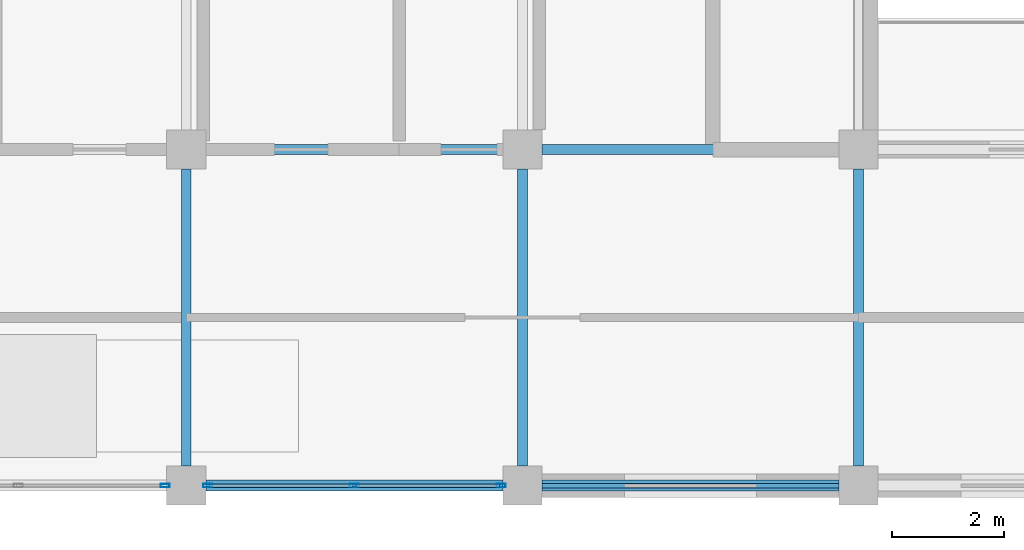
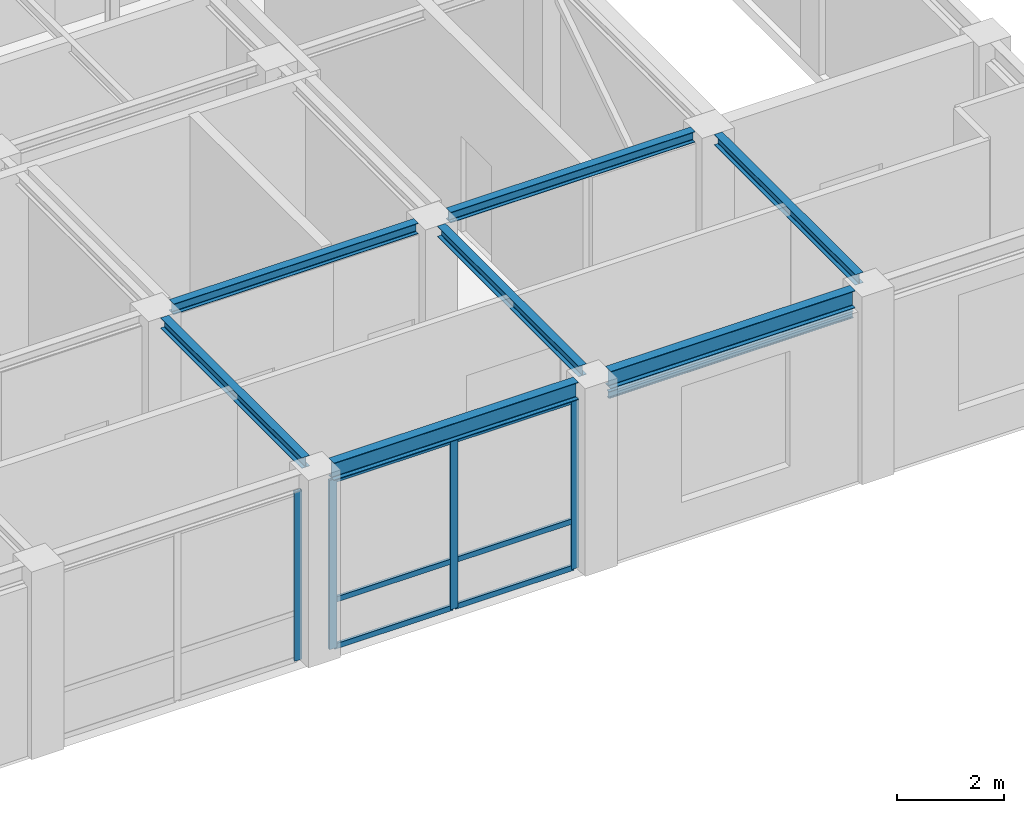
# One storey, part 6 of 11: 10 members, 8 beams, 2 elements without a shape of their own.
"""IFC4 building model written with IfcOpenShell, lengths in metres."""

import ifcopenshell
import ifcopenshell.guid

model = None  # the IFC model being written
_history = None  # IfcOwnerHistory: only IFC2X3 demands one
_inside = {}  # id of a spatial element -> (the spatial element, [elements in it])
_under = {}  # id of a project, library or spatial element -> (it, [spatial elements below it])
_declared = {}  # id of a project -> (the project, [libraries it declares])
_typed = {}  # id of a type object -> (the type object, [elements of that type])
_made_of = {}  # id of a material, layer set ... -> (it, [elements and type objects made of it])


def new_model(schema):
    """Start an empty IFC model of exactly this schema.

    Asked for "IFC4X3", IfcOpenShell would pick the latest addendum, in which some entities
    have other attributes; the version numbers below select the first issue.
    IFC2X3 requires an IfcOwnerHistory on every rooted entity: one is made here for all.
    """
    global model, _history
    if schema == "IFC4X3":
        model = ifcopenshell.file(schema_version=(4, 3, 0, 0))
    else:
        model = ifcopenshell.file(schema=schema)
    _inside.clear()
    _under.clear()
    _declared.clear()
    _typed.clear()
    _made_of.clear()
    _history = None
    if model.schema == "IFC2X3":
        org = make("IfcOrganization", Name="unknown")
        user = make(
            "IfcPersonAndOrganization",
            ThePerson=make("IfcPerson", FamilyName="unknown"),
            TheOrganization=org,
        )
        app = make(
            "IfcApplication",
            ApplicationDeveloper=org,
            Version="unknown",
            ApplicationFullName="unknown",
            ApplicationIdentifier="unknown",
        )
        _history = make(
            "IfcOwnerHistory",
            OwningUser=user,
            OwningApplication=app,
            ChangeAction="ADDED",
            CreationDate=0,
        )
    return model


def make(cls, **values):
    """One entity of the class cls with the attributes given. An attribute that is None is left unset."""
    return model.create_entity(
        cls, **{name: value for name, value in values.items() if value is not None}
    )


def rooted(cls, **values):
    """An entity with a GlobalId (a new one), such as an element, a storey or a relation."""
    return make(cls, GlobalId=ifcopenshell.guid.new(), OwnerHistory=_history, **values)


def si_unit(unit_type, name, prefix=None):
    """IfcSIUnit, for example si_unit("LENGTHUNIT", "METRE", prefix="MILLI")."""
    return make("IfcSIUnit", UnitType=unit_type, Prefix=prefix, Name=name)


def assignment(units):
    """IfcUnitAssignment: the units of a project."""
    return None if units is None else make("IfcUnitAssignment", Units=units)


def point(xyz):
    """IfcCartesianPoint."""
    return None if xyz is None else make("IfcCartesianPoint", Coordinates=xyz)


def direction(xyz):
    """IfcDirection."""
    return None if xyz is None else make("IfcDirection", DirectionRatios=xyz)


def frame(location, z_axis=None, x_axis=None):
    """IfcAxis2Placement3D, a coordinate frame: its origin and axes. An axis left out is left unset."""
    return make(
        "IfcAxis2Placement3D",
        Location=point(location),
        Axis=direction(z_axis),
        RefDirection=direction(x_axis),
    )


def frame_2d(location, x_axis=None):
    """IfcAxis2Placement2D, a coordinate frame in the plane: its origin and x axis."""
    return make(
        "IfcAxis2Placement2D", Location=point(location), RefDirection=direction(x_axis)
    )


def origin():
    """The frame at (0, 0, 0) with its axes left unset."""
    return frame((0.0, 0.0, 0.0))


def origin_2d():
    """The frame at (0, 0) in the plane with its x axis left unset."""
    return frame_2d((0.0, 0.0))


def place(relative_to, where):
    """IfcLocalPlacement: puts the frame where relative to a parent placement (None: the world)."""
    return make(
        "IfcLocalPlacement", PlacementRelTo=relative_to, RelativePlacement=where
    )


def context(
    kind, dimensions, precision=None, world=None, true_north=None, identifier=None
):
    """IfcGeometricRepresentationContext, for example the 3D "Model" context."""
    return make(
        "IfcGeometricRepresentationContext",
        ContextIdentifier=identifier,
        ContextType=kind,
        CoordinateSpaceDimension=dimensions,
        Precision=precision,
        WorldCoordinateSystem=world,
        TrueNorth=true_north,
    )


def subcontext(parent, identifier, kind, view, scale=None):
    """IfcGeometricRepresentationSubContext, for example "Body" below "Model"."""
    return make(
        "IfcGeometricRepresentationSubContext",
        ContextIdentifier=identifier,
        ContextType=kind,
        ParentContext=parent,
        TargetScale=scale,
        TargetView=view,
    )


def project(units=None, contexts=None):
    """IfcProject with its units and contexts."""
    return rooted(
        "IfcProject",
        Name="project",
        RepresentationContexts=contexts,
        UnitsInContext=assignment(units),
    )


def spatial(cls, under=None, at=None, **own):
    """A site, building, storey or space (cls), placed at a placement, below another one or the project."""
    s = rooted(cls, ObjectPlacement=at, **own)
    if under is not None:
        _under.setdefault(under.id(), (under, []))[1].append(s)
    return s


def profile(cls, at=None, kind="AREA", **sizes):
    """A parametric profile (cls). Its sizes go by their IFC names, for example OverallWidth=200.0."""
    return make(cls, ProfileType=kind, Position=at, **sizes)


def hollow_rectangle(**sizes):
    """IfcRectangleHollowProfileDef."""
    return profile("IfcRectangleHollowProfileDef", **sizes)


def i_section(**sizes):
    """IfcIShapeProfileDef."""
    return profile("IfcIShapeProfileDef", **sizes)


def extrude(swept, where, along, depth):
    """IfcExtrudedAreaSolid: the profile swept, set in the frame where, extruded along a direction by depth."""
    return make(
        "IfcExtrudedAreaSolid",
        SweptArea=swept,
        Position=where,
        ExtrudedDirection=direction(along),
        Depth=depth,
    )


def shape(context_of_items, identifier, shape_type, items):
    """IfcShapeRepresentation: the items that make up one representation, for example the "Body"."""
    return make(
        "IfcShapeRepresentation",
        ContextOfItems=context_of_items,
        RepresentationIdentifier=identifier,
        RepresentationType=shape_type,
        Items=items,
    )


def material(Name=None, Category=None):
    """IfcMaterial."""
    return make("IfcMaterial", Name=Name, Category=Category)


def layer(
    of_material, thickness, ventilated=None, Name=None, Category=None, Priority=None
):
    """IfcMaterialLayer: one layer of a wall or slab, of a material (None: an air gap)."""
    return make(
        "IfcMaterialLayer",
        Material=of_material,
        LayerThickness=thickness,
        IsVentilated=ventilated,
        Name=Name,
        Category=Category,
        Priority=Priority,
    )


def layer_set(layers, Name=None):
    """IfcMaterialLayerSet."""
    return make("IfcMaterialLayerSet", MaterialLayers=layers, LayerSetName=Name)


def material_profile(
    of_material, cross_section, Name=None, Category=None, Priority=None
):
    """IfcMaterialProfile: a cross section and its material."""
    return make(
        "IfcMaterialProfile",
        Name=Name,
        Material=of_material,
        Profile=cross_section,
        Priority=Priority,
        Category=Category,
    )


def profile_set(profiles, Name=None, composite=None):
    """IfcMaterialProfileSet."""
    return make(
        "IfcMaterialProfileSet",
        Name=Name,
        MaterialProfiles=profiles,
        CompositeProfile=composite,
    )


def made_of(thing, what):
    """Note that an element or type object is made of a material, layer set ...; save() writes the relation."""
    if what is not None:
        _made_of.setdefault(what.id(), (what, []))[1].append(thing)
    return thing


def type_object(cls, material=None, **own):
    """A type object (cls), such as IfcWallType, which elements share."""
    return made_of(rooted(cls, **own), material)


def element(
    cls,
    number,
    at=None,
    inside=None,
    cuts=None,
    type_object=None,
    material=None,
    context=None,
    identifier="Body",
    shape_type=None,
    held_by="IfcProductDefinitionShape",
    body=None,
    shapes=None,
    **own,
):
    """One element of the class cls, such as IfcWall. Its Tag is "e" and its number.

    at: its placement. inside: the storey or other place that contains it. cuts: it is an
    opening in that element (IfcRelVoidsElement). A single representation is given by context,
    identifier, shape_type and body (its items); several are given by shapes. held_by: the class
    of the entity that holds the representations. save() writes the other relations.
    """
    e = rooted(cls, Tag="e%d" % number, ObjectPlacement=at, **own)
    if body is not None:
        shapes = [shape(context, identifier, shape_type, body)]
    if shapes is not None:
        e.Representation = make(held_by, Representations=shapes)
    if inside is not None:
        _inside.setdefault(inside.id(), (inside, []))[1].append(e)
    if cuts is not None:
        rooted(
            "IfcRelVoidsElement", RelatingBuildingElement=cuts, RelatedOpeningElement=e
        )
    if type_object is not None:
        _typed.setdefault(type_object.id(), (type_object, []))[1].append(e)
    return made_of(e, material)


def aggregate(whole, parts):
    """IfcRelAggregates: a whole, such as a stair, and the parts it consists of."""
    return rooted("IfcRelAggregates", RelatingObject=whole, RelatedObjects=parts)


def save(model, path):
    """Write the relations noted so far, then the file.

    IfcRelAggregates (storeys below a building ...), IfcRelContainedInSpatialStructure (elements
    in a storey), IfcRelDefinesByType, IfcRelAssociatesMaterial and IfcRelDeclares: one each for
    every whole, place, type object, material and project.
    """
    for whole, parts in _under.values():
        aggregate(whole, parts)
    for where, things in _inside.values():
        rooted(
            "IfcRelContainedInSpatialStructure",
            RelatedElements=things,
            RelatingStructure=where,
        )
    for kind, things in _typed.values():
        rooted("IfcRelDefinesByType", RelatedObjects=things, RelatingType=kind)
    for what, things in _made_of.values():
        rooted("IfcRelAssociatesMaterial", RelatedObjects=things, RelatingMaterial=what)
    for by, libraries in _declared.values():
        rooted("IfcRelDeclares", RelatingContext=by, RelatedDefinitions=libraries)
    model.write(path)


model = new_model("IFC4")

# Units and contexts
model_context = context("Model", 3, precision=1e-05, world=origin(), true_north=direction((0.0, 1.0)))
body_context = subcontext(model_context, "Body", "Model", "MODEL_VIEW")
ifc_project = project(units=[si_unit("LENGTHUNIT", "METRE"), si_unit("AREAUNIT", "SQUARE_METRE"), si_unit("VOLUMEUNIT", "CUBIC_METRE"), si_unit("PLANEANGLEUNIT", "RADIAN"), si_unit("MASSUNIT", "GRAM", prefix="KILO")], contexts=[model_context])

# Site, building, storey
site_placement = place(None, origin())
site = spatial("IfcSite", under=ifc_project, at=site_placement, CompositionType="ELEMENT")
building_placement = place(site_placement, origin())
building = spatial("IfcBuilding", under=site, at=building_placement, Name="Zlatovratsky Civic Hall", CompositionType="ELEMENT")
storey_placement = place(building_placement, frame((0.0, 0.0, 72.0)))
storey = spatial("IfcBuildingStorey", under=building, at=storey_placement, Name="L18", CompositionType="ELEMENT", Elevation=72.0)

# Beams
ifc_material_1 = material(Name="Steel S355", Category="steel")
ifc_material_profile_1 = material_profile(ifc_material_1, i_section(OverallWidth=0.175048828125, OverallDepth=0.243896484375, WebThickness=0.007080078125, FlangeThickness=0.010986328125, FilletRadius=0.01611328125, at=origin_2d()), Name="25Sh1")
ifc_profile_set_1 = profile_set([ifc_material_profile_1], Name="Steel S355")
beam_type_1 = type_object("IfcBeamType", Name="Beam_Crown_25Sh1", PredefinedType="BEAM", material=ifc_profile_set_1)
for number, where, z_axis, x_axis, name in (
    (1, (84.35009765625, 84.0, 4.177978515625), (1.0, 0.0, 0.0), (0.0, 1.0, 0.0), "BM-5260"),
    (2, (90.35009765625, 84.0, 4.177978515625), (1.0, 0.0, 0.0), (0.0, 1.0, 0.0), "BM-5261"),
    (3, (84.0, 78.35009765625, 4.177978515625), (0.0, 1.0, 0.0), (-1.0, 0.0, 0.0), "BM-5291"),
    (4, (90.0, 78.35009765625, 4.177978515625), (0.0, 1.0, 0.0), (-1.0, 0.0, 0.0), "BM-5295"),
    (5, (96.0, 78.35009765625, 4.177978515625), (0.0, 1.0, 0.0), (-1.0, 0.0, 0.0), "BM-5299"),
):
    element("IfcBeam", number, at=place(storey_placement, frame(where, z_axis=z_axis, x_axis=x_axis)), inside=storey, type_object=beam_type_1, Name=name, PredefinedType="BEAM", context=body_context, shape_type="SweptSolid", body=[
        extrude(i_section(OverallWidth=0.175048828125, OverallDepth=0.243896484375, WebThickness=0.007080078125, FlangeThickness=0.010986328125, FilletRadius=0.01611328125, at=origin_2d()), origin(), (0.0, 0.0, 1.0), 5.2998046875),
    ])
ifc_material_profile_2 = material_profile(ifc_material_1, i_section(OverallWidth=0.199951171875, OverallDepth=0.39990234375, WebThickness=0.008056640625, FlangeThickness=0.012939453125, FilletRadius=0.014892578125, at=origin_2d()), Name="40B2")
ifc_profile_set_2 = profile_set([ifc_material_profile_2], Name="Steel S355")
beam_type_2 = type_object("IfcBeamType", Name="Beam_Spandrel_40B2", PredefinedType="SPANDREL", material=ifc_profile_set_2)
for number, where, z_axis, x_axis, name in (
    (6, (84.35009765625, 78.0, 4.10009765625), (1.0, 0.0, 0.0), (0.0, 1.0, 0.0), "BM-5254"),
    (7, (90.35009765625, 78.0, 4.10009765625), (1.0, 0.0, 0.0), (0.0, 1.0, 0.0), "BM-5255"),
):
    element("IfcBeam", number, at=place(storey_placement, frame(where, z_axis=z_axis, x_axis=x_axis)), inside=storey, type_object=beam_type_2, Name=name, PredefinedType="SPANDREL", context=body_context, shape_type="SweptSolid", body=[
        extrude(i_section(OverallWidth=0.199951171875, OverallDepth=0.39990234375, WebThickness=0.008056640625, FlangeThickness=0.012939453125, FilletRadius=0.014892578125, at=origin_2d()), origin(), (0.0, 0.0, 1.0), 5.2998046875),
    ])

# Curtain wall, member
ifc_material_2 = material(Name="Anodised bronze aluminium", Category="aluminium")
ifc_layer = layer(ifc_material_2, 0.159912109375)
ifc_layer_set = layer_set([ifc_layer], Name="Anodised bronze aluminium")
curtain_wall_type = type_object("IfcCurtainWallType", Name="CurtainWall_Bronze_5300x3880_26", PredefinedType="NOTDEFINED", material=ifc_layer_set)
curtain_wall_1_placement = place(storey_placement, origin())
curtain_wall_1 = element("IfcCurtainWall", 8, at=curtain_wall_1_placement, inside=storey, type_object=curtain_wall_type, Name="CW-181", PredefinedType="NOTDEFINED")
ifc_material_profile_3 = material_profile(ifc_material_2, hollow_rectangle(XDim=0.06005859375, YDim=0.159912109375, WallThickness=0.00390625, at=origin_2d()), Name="ALU 60x160x4")
ifc_profile_set_3 = profile_set([ifc_material_profile_3], Name="Anodised bronze aluminium")
member_type_1 = type_object("IfcMemberType", Name="CW_Mullion_60x160", PredefinedType="MULLION", material=ifc_profile_set_3)
member_1_placement = place(storey_placement, frame((83.6201171875, 78.0, 0.0), z_axis=(0.0, 0.0, 1.0), x_axis=(0.0, 1.0, 0.0)))
member_1 = element("IfcMember", 9, at=member_1_placement, type_object=member_type_1, Name="CW-26 mullion 3", PredefinedType="MULLION", context=body_context, shape_type="SweptSolid", body=[
    extrude(hollow_rectangle(XDim=0.06005859375, YDim=0.159912109375, WallThickness=0.00390625, at=origin_2d()), origin(), (0.0, 0.0, 1.0), 3.8798828125),
])
aggregate(curtain_wall_1, [member_1])

# Curtain wall, members
curtain_wall_2_placement = place(storey_placement, origin())
curtain_wall_2 = element("IfcCurtainWall", 10, at=curtain_wall_2_placement, inside=storey, type_object=curtain_wall_type, Name="CW-182", PredefinedType="NOTDEFINED")
member_2_placement = place(storey_placement, frame((84.3798828125, 78.0, 0.0), z_axis=(0.0, 0.0, 1.0), x_axis=(0.0, 1.0, 0.0)))
member_2 = element("IfcMember", 11, at=member_2_placement, type_object=member_type_1, Name="CW-26 mullion 1", PredefinedType="MULLION", context=body_context, shape_type="SweptSolid", body=[
    extrude(hollow_rectangle(XDim=0.06005859375, YDim=0.159912109375, WallThickness=0.00390625, at=origin_2d()), origin(), (0.0, 0.0, 1.0), 3.8798828125),
])
member_3_placement = place(storey_placement, frame((87.0, 78.0, 0.0), z_axis=(0.0, 0.0, 1.0), x_axis=(0.0, 1.0, 0.0)))
member_3 = element("IfcMember", 12, at=member_3_placement, type_object=member_type_1, Name="CW-26 mullion 2", PredefinedType="MULLION", context=body_context, shape_type="SweptSolid", body=[
    extrude(hollow_rectangle(XDim=0.06005859375, YDim=0.159912109375, WallThickness=0.00390625, at=origin_2d()), origin(), (0.0, 0.0, 1.0), 3.8798828125),
])
member_4_placement = place(storey_placement, frame((89.6201171875, 78.0, 0.0), z_axis=(0.0, 0.0, 1.0), x_axis=(0.0, 1.0, 0.0)))
member_4 = element("IfcMember", 13, at=member_4_placement, type_object=member_type_1, Name="CW-26 mullion 3", PredefinedType="MULLION", context=body_context, shape_type="SweptSolid", body=[
    extrude(hollow_rectangle(XDim=0.06005859375, YDim=0.159912109375, WallThickness=0.00390625, at=origin_2d()), origin(), (0.0, 0.0, 1.0), 3.8798828125),
])
ifc_material_profile_4 = material_profile(ifc_material_2, hollow_rectangle(XDim=0.06005859375, YDim=0.1201171875, WallThickness=0.00390625, at=origin_2d()), Name="ALU 60x120x4")
ifc_profile_set_4 = profile_set([ifc_material_profile_4], Name="Anodised bronze aluminium")
member_type_2 = type_object("IfcMemberType", Name="CW_Transom_60x120", PredefinedType="USERDEFINED", material=ifc_profile_set_4)
member_5_placement = place(storey_placement, frame((84.409912109375, 78.0, 0.030029296875), z_axis=(1.0, 0.0, 0.0), x_axis=(0.0, 1.0, 0.0)))
member_5 = element("IfcMember", 14, at=member_5_placement, type_object=member_type_2, Name="CW-26 transom 1.1", ObjectType="TRANSOM", PredefinedType="USERDEFINED", context=body_context, shape_type="SweptSolid", body=[
    extrude(hollow_rectangle(XDim=0.06005859375, YDim=0.1201171875, WallThickness=0.00390625, at=origin_2d()), origin(), (0.0, 0.0, 1.0), 2.56005859375),
])
member_6_placement = place(storey_placement, frame((84.409912109375, 78.0, 1.10009765625), z_axis=(1.0, 0.0, 0.0), x_axis=(0.0, 1.0, 0.0)))
member_6 = element("IfcMember", 15, at=member_6_placement, type_object=member_type_2, Name="CW-26 transom 1.2", ObjectType="TRANSOM", PredefinedType="USERDEFINED", context=body_context, shape_type="SweptSolid", body=[
    extrude(hollow_rectangle(XDim=0.06005859375, YDim=0.1201171875, WallThickness=0.00390625, at=origin_2d()), origin(), (0.0, 0.0, 1.0), 2.56005859375),
])
member_7_placement = place(storey_placement, frame((84.409912109375, 78.0, 3.85009765625), z_axis=(1.0, 0.0, 0.0), x_axis=(0.0, 1.0, 0.0)))
member_7 = element("IfcMember", 16, at=member_7_placement, type_object=member_type_2, Name="CW-26 transom 1.3", ObjectType="TRANSOM", PredefinedType="USERDEFINED", context=body_context, shape_type="SweptSolid", body=[
    extrude(hollow_rectangle(XDim=0.06005859375, YDim=0.1201171875, WallThickness=0.00390625, at=origin_2d()), origin(), (0.0, 0.0, 1.0), 2.56005859375),
])
member_8_placement = place(storey_placement, frame((87.030029296875, 78.0, 0.030029296875), z_axis=(1.0, 0.0, 0.0), x_axis=(0.0, 1.0, 0.0)))
member_8 = element("IfcMember", 17, at=member_8_placement, type_object=member_type_2, Name="CW-26 transom 2.1", ObjectType="TRANSOM", PredefinedType="USERDEFINED", context=body_context, shape_type="SweptSolid", body=[
    extrude(hollow_rectangle(XDim=0.06005859375, YDim=0.1201171875, WallThickness=0.00390625, at=origin_2d()), origin(), (0.0, 0.0, 1.0), 2.56005859375),
])
member_9_placement = place(storey_placement, frame((87.030029296875, 78.0, 1.10009765625), z_axis=(1.0, 0.0, 0.0), x_axis=(0.0, 1.0, 0.0)))
member_9 = element("IfcMember", 18, at=member_9_placement, type_object=member_type_2, Name="CW-26 transom 2.2", ObjectType="TRANSOM", PredefinedType="USERDEFINED", context=body_context, shape_type="SweptSolid", body=[
    extrude(hollow_rectangle(XDim=0.06005859375, YDim=0.1201171875, WallThickness=0.00390625, at=origin_2d()), origin(), (0.0, 0.0, 1.0), 2.56005859375),
])
member_10_placement = place(storey_placement, frame((87.030029296875, 78.0, 3.85009765625), z_axis=(1.0, 0.0, 0.0), x_axis=(0.0, 1.0, 0.0)))
member_10 = element("IfcMember", 19, at=member_10_placement, type_object=member_type_2, Name="CW-26 transom 2.3", ObjectType="TRANSOM", PredefinedType="USERDEFINED", context=body_context, shape_type="SweptSolid", body=[
    extrude(hollow_rectangle(XDim=0.06005859375, YDim=0.1201171875, WallThickness=0.00390625, at=origin_2d()), origin(), (0.0, 0.0, 1.0), 2.56005859375),
])
aggregate(curtain_wall_2, [member_2, member_3, member_4, member_5, member_6, member_7, member_8, member_9, member_10])

# Beam
ifc_material_profile_5 = material_profile(ifc_material_1, i_section(OverallWidth=0.08203125, OverallDepth=0.156982421875, WebThickness=0.00390625, FlangeThickness=0.005859375, FilletRadius=0.009033203125, at=origin_2d()), Name="16B1")
ifc_profile_set_5 = profile_set([ifc_material_profile_5], Name="Steel S355")
beam_type_3 = type_object("IfcBeamType", Name="Lintel_Window_16B1", PredefinedType="LINTEL", material=ifc_profile_set_5)
beam_placement = place(storey_placement, frame((90.35009765625, 78.0, 3.719970703125), z_axis=(1.0, 0.0, 0.0), x_axis=(0.0, 1.0, 0.0)))
element("IfcBeam", 20, at=beam_placement, inside=storey, type_object=beam_type_3, Name="BM-5407", PredefinedType="LINTEL", context=body_context, shape_type="SweptSolid", body=[
    extrude(i_section(OverallWidth=0.08203125, OverallDepth=0.156982421875, WebThickness=0.00390625, FlangeThickness=0.005859375, FilletRadius=0.009033203125, at=origin_2d()), origin(), (0.0, 0.0, 1.0), 5.2998046875),
])

save(model, "model.ifc")
